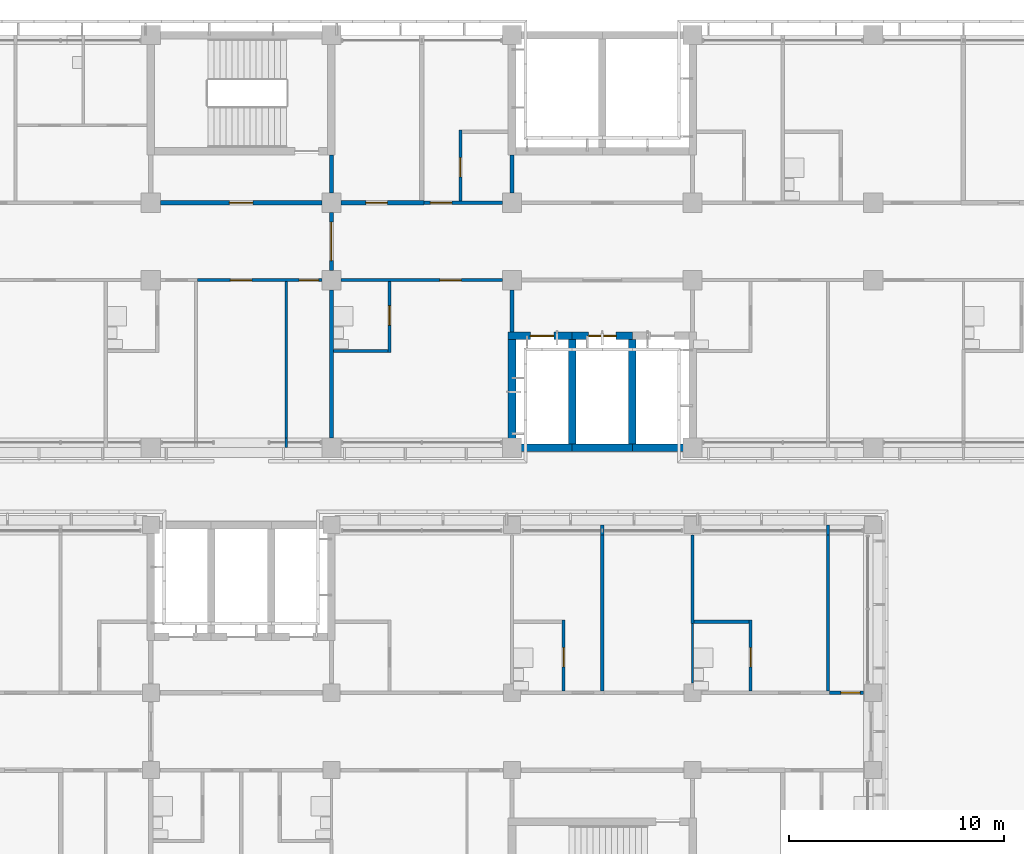
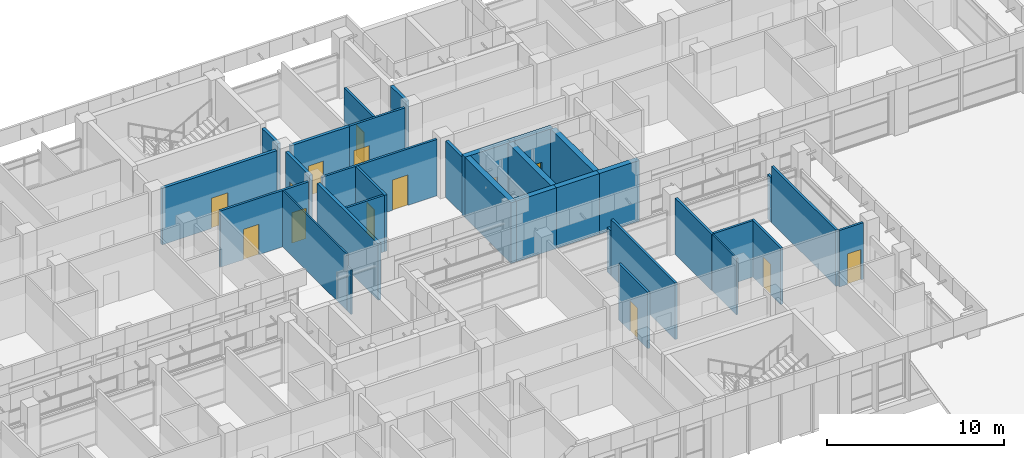
# One storey, part 83 of 137: 33 walls, 14 doors, 14 openings.
"""IFC4 building model written with IfcOpenShell, lengths in metres."""

from ifc_helpers import new_model, si_unit, direction, frame, frame_2d, origin, place, context, subcontext, project, spatial, rectangle, extrude, material, layer, layer_set, type_object, element, fill, save


model = new_model("IFC4")

# Units and contexts
model_context = context("Model", 3, precision=1e-05, world=origin(), true_north=direction((0.0, 1.0)))
body_context = subcontext(model_context, "Body", "Model", "MODEL_VIEW")
ifc_project = project(units=[si_unit("LENGTHUNIT", "METRE"), si_unit("AREAUNIT", "SQUARE_METRE"), si_unit("VOLUMEUNIT", "CUBIC_METRE"), si_unit("PLANEANGLEUNIT", "RADIAN"), si_unit("MASSUNIT", "GRAM", prefix="KILO")], contexts=[model_context])

# Site, building, storey
site_placement = place(None, origin())
site = spatial("IfcSite", under=ifc_project, at=site_placement, CompositionType="ELEMENT")
building_placement = place(site_placement, origin())
building = spatial("IfcBuilding", under=site, at=building_placement, Name="Bougainvillea Quay General Hospital", CompositionType="ELEMENT")
storey_placement = place(building_placement, frame((0.0, 0.0, 16.800048828125)))
storey = spatial("IfcBuildingStorey", under=building, at=storey_placement, Name="L03", CompositionType="ELEMENT", Elevation=16.800048828125)

# Walls
ifc_material_1 = material(Name="Gypsum board partition on steel studs", Category="steel")
ifc_layer_1 = layer(ifc_material_1, 0.10009765625)
ifc_layer_set_1 = layer_set([ifc_layer_1], Name="Gypsum board partition on steel studs")
wall_type_1 = type_object("IfcWallType", Name="Partition 100 Gypsum board partition", PredefinedType="PARTITIONING", material=ifc_layer_set_1)
wall_1_placement = place(storey_placement, frame((140.699951171875, 140.39990234375, 0.0), z_axis=(0.0, 0.0, 1.0), x_axis=(0.0, 1.0, 0.0)))
element("IfcWall", 1, at=wall_1_placement, inside=storey, type_object=wall_type_1, Name="Partition 100 mm", PredefinedType="PARTITIONING", context=body_context, shape_type="SweptSolid", body=[
    extrude(rectangle(XDim=0.4501953125, YDim=0.10009765625, at=frame_2d((0.22509765625, 0.0))), origin(), (0.0, 0.0, 1.0), 3.079833984375),
])
wall_2_placement = place(storey_placement, frame((140.699951171875, 140.85009765625, 0.0), z_axis=(0.0, 0.0, 1.0), x_axis=(0.0, 1.0, 0.0)))
element("IfcWall", 2, at=wall_2_placement, inside=storey, type_object=wall_type_1, Name="Partition 100 mm", PredefinedType="PARTITIONING", context=body_context, shape_type="SweptSolid", body=[
    extrude(rectangle(XDim=7.27490234375, YDim=0.10009765625, at=frame_2d((3.637451171875, 0.0))), origin(), (0.0, 0.0, 1.0), 3.89990234375),
])
wall_3_placement = place(storey_placement, frame((159.60009765625, 129.449951171875, 0.0), z_axis=(0.0, 0.0, 1.0), x_axis=(0.0, 1.0, 0.0)))
element("IfcWall", 3, at=wall_3_placement, inside=storey, type_object=wall_type_1, Name="Partition 100 mm", PredefinedType="PARTITIONING", context=body_context, shape_type="SweptSolid", body=[
    extrude(rectangle(XDim=2.775146484375, YDim=0.10009765625, at=frame_2d((1.3876953125, 0.0))), origin(), (0.0, 0.0, 1.0), 3.89990234375),
])
ifc_material_2 = material(Name="Gypsum board partition on steel studs, insulated", Category="steel")
ifc_layer_2 = layer(ifc_material_2, 0.14990234375)
ifc_layer_set_2 = layer_set([ifc_layer_2], Name="Gypsum board partition on steel studs, insulated")
wall_type_2 = type_object("IfcWallType", Name="Partition 150 Gypsum board partition", PredefinedType="PARTITIONING", material=ifc_layer_set_2)
wall_4_placement = place(storey_placement, frame((155.39990234375, 129.074951171875, 0.0), z_axis=(0.0, 0.0, 1.0), x_axis=(0.0, 1.0, 0.0)))
element("IfcWall", 4, at=wall_4_placement, inside=storey, type_object=wall_type_2, Name="Partition 150 mm", PredefinedType="PARTITIONING", context=body_context, shape_type="SweptSolid", body=[
    extrude(rectangle(XDim=7.275146484375, YDim=0.14990234375, at=frame_2d((3.6376953125, 0.0))), origin(), (0.0, 0.0, 1.0), 3.89990234375),
])
wall_5_placement = place(storey_placement, frame((155.39990234375, 136.35009765625, 0.0), z_axis=(0.0, 0.0, 1.0), x_axis=(0.0, 1.0, 0.0)))
element("IfcWall", 5, at=wall_5_placement, inside=storey, type_object=wall_type_2, Name="Partition 150 mm", PredefinedType="PARTITIONING", context=body_context, shape_type="SweptSolid", body=[
    extrude(rectangle(XDim=0.449951171875, YDim=0.14990234375, at=frame_2d((0.22509765625, 0.0))), origin(), (0.0, 0.0, 1.0), 3.079833984375),
])
wall_6_placement = place(storey_placement, frame((165.89990234375, 129.074951171875, 0.0), z_axis=(0.0, 0.0, 1.0), x_axis=(0.0, 1.0, 0.0)))
element("IfcWall", 6, at=wall_6_placement, inside=storey, type_object=wall_type_2, Name="Partition 150 mm", PredefinedType="PARTITIONING", context=body_context, shape_type="SweptSolid", body=[
    extrude(rectangle(XDim=7.275146484375, YDim=0.14990234375, at=frame_2d((3.6376953125, 0.0))), origin(), (0.0, 0.0, 1.0), 3.89990234375),
])
wall_7_placement = place(storey_placement, frame((165.89990234375, 136.35009765625, 0.0), z_axis=(0.0, 0.0, 1.0), x_axis=(0.0, 1.0, 0.0)))
element("IfcWall", 7, at=wall_7_placement, inside=storey, type_object=wall_type_2, Name="Partition 150 mm", PredefinedType="PARTITIONING", context=body_context, shape_type="SweptSolid", body=[
    extrude(rectangle(XDim=0.449951171875, YDim=0.14990234375, at=frame_2d((0.22509765625, 0.0))), origin(), (0.0, 0.0, 1.0), 3.079833984375),
])
wall_8_placement = place(storey_placement, frame((159.60009765625, 132.22509765625, 0.0), z_axis=(0.0, 0.0, 1.0), x_axis=(0.0, 1.0, 0.0)))
element("IfcWall", 8, at=wall_8_placement, inside=storey, type_object=wall_type_2, Name="Partition 150 mm", PredefinedType="PARTITIONING", context=body_context, shape_type="SweptSolid", body=[
    extrude(rectangle(XDim=4.125, YDim=0.14990234375, at=frame_2d((2.0625, 0.0))), origin(), (0.0, 0.0, 1.0), 3.89990234375),
])

# Wall, opening, door
wall_9_placement = place(storey_placement, frame((153.60009765625, 129.074951171875, 0.0), z_axis=(0.0, 0.0, 1.0), x_axis=(0.0, 1.0, 0.0)))
wall_9 = element("IfcWall", 9, at=wall_9_placement, inside=storey, type_object=wall_type_2, Name="Partition 150 mm", PredefinedType="PARTITIONING", context=body_context, shape_type="SweptSolid", body=[
    extrude(rectangle(XDim=3.300048828125, YDim=0.14990234375, at=frame_2d((1.64990234375, 0.0))), origin(), (0.0, 0.0, 1.0), 3.89990234375),
])
opening_1_placement = place(wall_9_placement, frame((1.125, 0.0, 0.0)))
opening_1 = element("IfcOpeningElement", 10, at=opening_1_placement, cuts=wall_9, Name="Opening L03.124", PredefinedType="OPENING", context=body_context, shape_type="SweptSolid", body=[
    extrude(rectangle(XDim=0.89990234375, YDim=2.10009765625, at=frame_2d((0.449951171875, 1.050048828125))), frame((0.0, 0.0849609375, 0.0), z_axis=(0.0, -1.0, 0.0), x_axis=(1.0, 0.0, 0.0)), (0.0, 0.0, 1.0), 0.169921875),
])
ifc_material_3 = material(Name="Solid-core timber door leaf in steel frame", Category="steel")
door_type_1 = type_object("IfcDoorType", Name="Single leaf door 900x2100", OperationType="NOTDEFINED", PredefinedType="DOOR", material=ifc_material_3)
door_1_placement = place(opening_1_placement, origin())
door_1 = element("IfcDoor", 11, at=door_1_placement, inside=storey, type_object=door_type_1, Name="DT07 L03.124", OperationType="SINGLE_SWING_LEFT", OverallHeight=2.10009765625, OverallWidth=0.89990234375, PredefinedType="DOOR", context=body_context, shape_type="SweptSolid", body=[
    extrude(rectangle(XDim=0.89990234375, YDim=2.10009765625, at=frame_2d((0.449951171875, 1.050048828125))), frame((0.0, 0.02490234375, 0.0), z_axis=(0.0, -1.0, 0.0), x_axis=(1.0, 0.0, 0.0)), (0.0, 0.0, 1.0), 0.050048828125),
])
fill(opening_1, door_1)

wall_10_placement = place(storey_placement, frame((162.300048828125, 129.074951171875, 0.0), z_axis=(0.0, 0.0, 1.0), x_axis=(0.0, 1.0, 0.0)))
wall_10 = element("IfcWall", 12, at=wall_10_placement, inside=storey, type_object=wall_type_2, Name="Partition 150 mm", PredefinedType="PARTITIONING", context=body_context, shape_type="SweptSolid", body=[
    extrude(rectangle(XDim=3.300048828125, YDim=0.14990234375, at=frame_2d((1.64990234375, 0.0))), origin(), (0.0, 0.0, 1.0), 3.89990234375),
])
opening_2_placement = place(wall_10_placement, frame((1.125, 0.0, 0.0)))
opening_2 = element("IfcOpeningElement", 13, at=opening_2_placement, cuts=wall_10, Name="Opening L03.127", PredefinedType="OPENING", context=body_context, shape_type="SweptSolid", body=[
    extrude(rectangle(XDim=0.89990234375, YDim=2.10009765625, at=frame_2d((0.449951171875, 1.050048828125))), frame((0.0, 0.0849609375, 0.0), z_axis=(0.0, -1.0, 0.0), x_axis=(1.0, 0.0, 0.0)), (0.0, 0.0, 1.0), 0.169921875),
])
door_2_placement = place(opening_2_placement, origin())
door_2 = element("IfcDoor", 14, at=door_2_placement, inside=storey, type_object=door_type_1, Name="DT07 L03.127", OperationType="SINGLE_SWING_LEFT", OverallHeight=2.10009765625, OverallWidth=0.89990234375, PredefinedType="DOOR", context=body_context, shape_type="SweptSolid", body=[
    extrude(rectangle(XDim=0.89990234375, YDim=2.10009765625, at=frame_2d((0.449951171875, 1.050048828125))), frame((0.0, 0.02490234375, 0.0), z_axis=(0.0, -1.0, 0.0), x_axis=(1.0, 0.0, 0.0)), (0.0, 0.0, 1.0), 0.050048828125),
])
fill(opening_2, door_2)

wall_11_placement = place(storey_placement, frame((145.5, 144.824951171875, 0.0), z_axis=(0.0, 0.0, 1.0), x_axis=(0.0, 1.0, 0.0)))
wall_11 = element("IfcWall", 15, at=wall_11_placement, inside=storey, type_object=wall_type_2, Name="Partition 150 mm", PredefinedType="PARTITIONING", context=body_context, shape_type="SweptSolid", body=[
    extrude(rectangle(XDim=3.300048828125, YDim=0.14990234375, at=frame_2d((1.64990234375, 0.0))), origin(), (0.0, 0.0, 1.0), 3.89990234375),
])
opening_3_placement = place(wall_11_placement, frame((1.27490234375, 0.0, 0.0)))
opening_3 = element("IfcOpeningElement", 16, at=opening_3_placement, cuts=wall_11, Name="Opening L03.053", PredefinedType="OPENING", context=body_context, shape_type="SweptSolid", body=[
    extrude(rectangle(XDim=0.89990234375, YDim=2.10009765625, at=frame_2d((0.449951171875, 1.050048828125))), frame((0.0, 0.0849609375, 0.0), z_axis=(0.0, -1.0, 0.0), x_axis=(1.0, 0.0, 0.0)), (0.0, 0.0, 1.0), 0.169921875),
])
door_3_placement = place(opening_3_placement, origin())
door_3 = element("IfcDoor", 17, at=door_3_placement, inside=storey, type_object=door_type_1, Name="DT07 L03.053", OperationType="SINGLE_SWING_RIGHT", OverallHeight=2.10009765625, OverallWidth=0.89990234375, PredefinedType="DOOR", context=body_context, shape_type="SweptSolid", body=[
    extrude(rectangle(XDim=0.89990234375, YDim=2.10009765625, at=frame_2d((0.449951171875, 1.050048828125))), frame((0.0, 0.02490234375, 0.0), z_axis=(0.0, -1.0, 0.0), x_axis=(1.0, 0.0, 0.0)), (0.0, 0.0, 1.0), 0.050048828125),
])
fill(opening_3, door_3)

wall_12_placement = place(storey_placement, frame((148.800048828125, 151.875, 0.0), z_axis=(0.0, 0.0, 1.0), x_axis=(0.0, 1.0, 0.0)))
wall_12 = element("IfcWall", 18, at=wall_12_placement, inside=storey, type_object=wall_type_2, Name="Partition 150 mm", PredefinedType="PARTITIONING", context=body_context, shape_type="SweptSolid", body=[
    extrude(rectangle(XDim=3.300048828125, YDim=0.14990234375, at=frame_2d((1.64990234375, 0.0))), origin(), (0.0, 0.0, 1.0), 3.89990234375),
])
opening_4_placement = place(wall_12_placement, frame((1.125, 0.0, 0.0)))
opening_4 = element("IfcOpeningElement", 19, at=opening_4_placement, cuts=wall_12, Name="Opening L03.055", PredefinedType="OPENING", context=body_context, shape_type="SweptSolid", body=[
    extrude(rectangle(XDim=0.89990234375, YDim=2.10009765625, at=frame_2d((0.449951171875, 1.050048828125))), frame((0.0, 0.0849609375, 0.0), z_axis=(0.0, -1.0, 0.0), x_axis=(1.0, 0.0, 0.0)), (0.0, 0.0, 1.0), 0.169921875),
])
door_4_placement = place(opening_4_placement, frame((0.89990234375, 0.0, 0.0), z_axis=(0.0, 0.0, 1.0), x_axis=(-1.0, 0.0, 0.0)))
door_4 = element("IfcDoor", 20, at=door_4_placement, inside=storey, type_object=door_type_1, Name="DT07 L03.055", OperationType="SINGLE_SWING_RIGHT", OverallHeight=2.10009765625, OverallWidth=0.89990234375, PredefinedType="DOOR", context=body_context, shape_type="SweptSolid", body=[
    extrude(rectangle(XDim=0.89990234375, YDim=2.10009765625, at=frame_2d((0.449951171875, 1.050048828125))), frame((0.0, 0.02490234375, 0.0), z_axis=(0.0, -1.0, 0.0), x_axis=(1.0, 0.0, 0.0)), (0.0, 0.0, 1.0), 0.050048828125),
])
fill(opening_4, door_4)

# Walls
wall_13_placement = place(storey_placement, frame((159.675048828125, 132.300048828125, 0.0), z_axis=(0.0, 0.0, 1.0), x_axis=(1.0, 0.0, 0.0)))
element("IfcWall", 21, at=wall_13_placement, inside=storey, type_object=wall_type_2, Name="Partition 150 mm", PredefinedType="PARTITIONING", context=body_context, shape_type="SweptSolid", body=[
    extrude(rectangle(XDim=2.550048828125, YDim=0.14990234375, at=frame_2d((1.27490234375, 0.0))), origin(), (0.0, 0.0, 1.0), 3.89990234375),
])
wall_14_placement = place(storey_placement, frame((142.89990234375, 144.89990234375, 0.0), z_axis=(0.0, 0.0, 1.0), x_axis=(1.0, 0.0, 0.0)))
element("IfcWall", 22, at=wall_14_placement, inside=storey, type_object=wall_type_2, Name="Partition 150 mm", PredefinedType="PARTITIONING", context=body_context, shape_type="SweptSolid", body=[
    extrude(rectangle(XDim=2.525146484375, YDim=0.14990234375, at=frame_2d((1.2626953125, 0.0))), origin(), (0.0, 0.0, 1.0), 3.89990234375),
])

# Wall, opening, door
ifc_layer_3 = layer(ifc_material_2, 0.14990234375)
ifc_layer_set_3 = layer_set([ifc_layer_3], Name="Gypsum board partition on steel studs, insulated")
wall_type_3 = type_object("IfcWallType", Name="Partition 150 Gypsum board partition EI 30", PredefinedType="PARTITIONING", material=ifc_layer_set_3)
wall_15_placement = place(storey_placement, frame((143.25, 148.199951171875, 0.0), z_axis=(0.0, 0.0, 1.0), x_axis=(1.0, 0.0, 0.0)))
wall_15 = element("IfcWall", 23, at=wall_15_placement, inside=storey, type_object=wall_type_3, Name="Partition 150 mm EI 30", PredefinedType="PARTITIONING", context=body_context, shape_type="SweptSolid", body=[
    extrude(rectangle(XDim=7.5, YDim=0.14990234375, at=frame_2d((3.75, 0.0))), origin(), (0.0, 0.0, 1.0), 3.89990234375),
])
opening_5_placement = place(wall_15_placement, frame((4.60009765625, 0.0, 0.0)))
opening_5 = element("IfcOpeningElement", 24, at=opening_5_placement, cuts=wall_15, Name="Opening L03.052", PredefinedType="OPENING", context=body_context, shape_type="SweptSolid", body=[
    extrude(rectangle(XDim=1.0, YDim=2.10009765625, at=frame_2d((0.5, 1.050048828125))), frame((0.0, 0.0849609375, 0.0), z_axis=(0.0, -1.0, 0.0), x_axis=(1.0, 0.0, 0.0)), (0.0, 0.0, 1.0), 0.169921875),
])
door_type_2 = type_object("IfcDoorType", Name="Single leaf door 1000x2100 FD30S", OperationType="NOTDEFINED", PredefinedType="DOOR", material=ifc_material_3)
door_5_placement = place(opening_5_placement, frame((1.0, 0.0, 0.0), z_axis=(0.0, 0.0, 1.0), x_axis=(-1.0, 0.0, 0.0)))
door_5 = element("IfcDoor", 25, at=door_5_placement, inside=storey, type_object=door_type_2, Name="DT15 L03.052", OperationType="SINGLE_SWING_LEFT", OverallHeight=2.10009765625, OverallWidth=1.0, PredefinedType="DOOR", context=body_context, shape_type="SweptSolid", body=[
    extrude(rectangle(XDim=1.0, YDim=2.10009765625, at=frame_2d((0.5, 1.050048828125))), frame((0.0, 0.02490234375, 0.0), z_axis=(0.0, -1.0, 0.0), x_axis=(1.0, 0.0, 0.0)), (0.0, 0.0, 1.0), 0.050048828125),
])
fill(opening_5, door_5)

wall_16_placement = place(storey_placement, frame((147.10009765625, 151.800048828125, 0.0), z_axis=(0.0, 0.0, 1.0), x_axis=(1.0, 0.0, 0.0)))
wall_16 = element("IfcWall", 26, at=wall_16_placement, inside=storey, type_object=wall_type_3, Name="Partition 150 mm EI 30", PredefinedType="PARTITIONING", context=body_context, shape_type="SweptSolid", body=[
    extrude(rectangle(XDim=3.64990234375, YDim=0.14990234375, at=frame_2d((1.824951171875, 0.0))), origin(), (0.0, 0.0, 1.0), 3.89990234375),
])
opening_6_placement = place(wall_16_placement, frame((0.300048828125, 0.0, 0.0)))
opening_6 = element("IfcOpeningElement", 27, at=opening_6_placement, cuts=wall_16, Name="Opening L03.054", PredefinedType="OPENING", context=body_context, shape_type="SweptSolid", body=[
    extrude(rectangle(XDim=1.0, YDim=2.10009765625, at=frame_2d((0.5, 1.050048828125))), frame((0.0, 0.0849609375, 0.0), z_axis=(0.0, -1.0, 0.0), x_axis=(1.0, 0.0, 0.0)), (0.0, 0.0, 1.0), 0.169921875),
])
door_6_placement = place(opening_6_placement, origin())
door_6 = element("IfcDoor", 28, at=door_6_placement, inside=storey, type_object=door_type_2, Name="DT15 L03.054", OperationType="SINGLE_SWING_LEFT", OverallHeight=2.10009765625, OverallWidth=1.0, PredefinedType="DOOR", context=body_context, shape_type="SweptSolid", body=[
    extrude(rectangle(XDim=1.0, YDim=2.10009765625, at=frame_2d((0.5, 1.050048828125))), frame((0.0, 0.02490234375, 0.0), z_axis=(0.0, -1.0, 0.0), x_axis=(1.0, 0.0, 0.0)), (0.0, 0.0, 1.0), 0.050048828125),
])
fill(opening_6, door_6)

# Wall, openings, doors
ifc_layer_4 = layer(ifc_material_2, 0.14990234375)
ifc_layer_set_4 = layer_set([ifc_layer_4], Name="Gypsum board partition on steel studs, insulated")
wall_type_4 = type_object("IfcWallType", Name="Partition 150 Gypsum board partition EI 60", PredefinedType="PARTITIONING", material=ifc_layer_set_4)
wall_17_placement = place(storey_placement, frame((136.574951171875, 148.199951171875, 0.0), z_axis=(0.0, 0.0, 1.0), x_axis=(1.0, 0.0, 0.0)))
wall_17 = element("IfcWall", 29, at=wall_17_placement, inside=storey, type_object=wall_type_4, Name="Partition 150 mm EI 60", PredefinedType="PARTITIONING", context=body_context, shape_type="SweptSolid", body=[
    extrude(rectangle(XDim=5.775146484375, YDim=0.14990234375, at=frame_2d((2.8876953125, 0.0))), origin(), (0.0, 0.0, 1.0), 3.89990234375),
])
opening_7_placement = place(wall_17_placement, frame((1.52490234375, 0.0, 0.0)))
opening_7 = element("IfcOpeningElement", 30, at=opening_7_placement, cuts=wall_17, Name="Opening L03.039", PredefinedType="OPENING", context=body_context, shape_type="SweptSolid", body=[
    extrude(rectangle(XDim=1.0, YDim=2.10009765625, at=frame_2d((0.5, 1.050048828125))), frame((0.0, 0.0849609375, 0.0), z_axis=(0.0, -1.0, 0.0), x_axis=(1.0, 0.0, 0.0)), (0.0, 0.0, 1.0), 0.169921875),
])
opening_8_placement = place(wall_17_placement, frame((4.72509765625, 0.0, 0.0)))
opening_8 = element("IfcOpeningElement", 31, at=opening_8_placement, cuts=wall_17, Name="Opening L03.040", PredefinedType="OPENING", context=body_context, shape_type="SweptSolid", body=[
    extrude(rectangle(XDim=0.89990234375, YDim=2.10009765625, at=frame_2d((0.449951171875, 1.050048828125))), frame((0.0, 0.0849609375, 0.0), z_axis=(0.0, -1.0, 0.0), x_axis=(1.0, 0.0, 0.0)), (0.0, 0.0, 1.0), 0.169921875),
])
door_type_3 = type_object("IfcDoorType", Name="Single leaf door 1000x2100 FD60", OperationType="NOTDEFINED", PredefinedType="DOOR", material=ifc_material_3)
door_7_placement = place(opening_7_placement, frame((1.0, 0.0, 0.0), z_axis=(0.0, 0.0, 1.0), x_axis=(-1.0, 0.0, 0.0)))
door_7 = element("IfcDoor", 32, at=door_7_placement, inside=storey, type_object=door_type_3, Name="DT14 L03.039", OperationType="SINGLE_SWING_RIGHT", OverallHeight=2.10009765625, OverallWidth=1.0, PredefinedType="DOOR", context=body_context, shape_type="SweptSolid", body=[
    extrude(rectangle(XDim=1.0, YDim=2.10009765625, at=frame_2d((0.5, 1.050048828125))), frame((0.0, 0.02490234375, 0.0), z_axis=(0.0, -1.0, 0.0), x_axis=(1.0, 0.0, 0.0)), (0.0, 0.0, 1.0), 0.050048828125),
])
fill(opening_7, door_7)
door_type_4 = type_object("IfcDoorType", Name="Single leaf door 900x2100 FD60", OperationType="NOTDEFINED", PredefinedType="DOOR", material=ifc_material_3)
door_8_placement = place(opening_8_placement, frame((0.89990234375, 0.0, 0.0), z_axis=(0.0, 0.0, 1.0), x_axis=(-1.0, 0.0, 0.0)))
door_8 = element("IfcDoor", 33, at=door_8_placement, inside=storey, type_object=door_type_4, Name="DT18 L03.040", OperationType="SINGLE_SWING_LEFT", OverallHeight=2.10009765625, OverallWidth=0.89990234375, PredefinedType="DOOR", context=body_context, shape_type="SweptSolid", body=[
    extrude(rectangle(XDim=0.89990234375, YDim=2.10009765625, at=frame_2d((0.449951171875, 1.050048828125))), frame((0.0, 0.02490234375, 0.0), z_axis=(0.0, -1.0, 0.0), x_axis=(1.0, 0.0, 0.0)), (0.0, 0.0, 1.0), 0.050048828125),
])
fill(opening_8, door_8)

# Wall, opening, door
wall_18_placement = place(storey_placement, frame((165.97509765625, 129.0, 0.0), z_axis=(0.0, 0.0, 1.0), x_axis=(1.0, 0.0, 0.0)))
wall_18 = element("IfcWall", 34, at=wall_18_placement, inside=storey, type_object=wall_type_4, Name="Partition 150 mm EI 60", PredefinedType="PARTITIONING", context=body_context, shape_type="SweptSolid", body=[
    extrude(rectangle(XDim=1.574951171875, YDim=0.14990234375, at=frame_2d((0.78759765625, 0.0))), origin(), (0.0, 0.0, 1.0), 3.89990234375),
])
opening_9_placement = place(wall_18_placement, frame((0.52490234375, 0.0, 0.0)))
opening_9 = element("IfcOpeningElement", 35, at=opening_9_placement, cuts=wall_18, Name="Opening L03.128", PredefinedType="OPENING", context=body_context, shape_type="SweptSolid", body=[
    extrude(rectangle(XDim=0.89990234375, YDim=2.10009765625, at=frame_2d((0.449951171875, 1.050048828125))), frame((0.0, 0.0849609375, 0.0), z_axis=(0.0, -1.0, 0.0), x_axis=(1.0, 0.0, 0.0)), (0.0, 0.0, 1.0), 0.169921875),
])
door_9_placement = place(opening_9_placement, origin())
door_9 = element("IfcDoor", 36, at=door_9_placement, inside=storey, type_object=door_type_4, Name="DT18 L03.128", OperationType="SINGLE_SWING_RIGHT", OverallHeight=2.10009765625, OverallWidth=0.89990234375, PredefinedType="DOOR", context=body_context, shape_type="SweptSolid", body=[
    extrude(rectangle(XDim=0.89990234375, YDim=2.10009765625, at=frame_2d((0.449951171875, 1.050048828125))), frame((0.0, 0.02490234375, 0.0), z_axis=(0.0, -1.0, 0.0), x_axis=(1.0, 0.0, 0.0)), (0.0, 0.0, 1.0), 0.050048828125),
])
fill(opening_9, door_9)

# Wall
ifc_material_4 = material(Name="Fire-rated autoclaved aerated block wall, plastered")
ifc_layer_5 = layer(ifc_material_4, 0.199951171875)
ifc_layer_set_5 = layer_set([ifc_layer_5], Name="Fire-rated autoclaved aerated block wall, plastered")
wall_type_5 = type_object("IfcWallType", Name="Partition 200 Fire-rated autoclaved aerated block wall EI 120", PredefinedType="SOLIDWALL", material=ifc_layer_set_5)
wall_19_placement = place(storey_placement, frame((142.800048828125, 154.02490234375, 0.0), z_axis=(0.0, 0.0, 1.0), x_axis=(0.0, -1.0, 0.0)))
element("IfcWall", 37, at=wall_19_placement, inside=storey, type_object=wall_type_5, Name="Partition 200 mm EI 120", PredefinedType="SOLIDWALL", context=body_context, shape_type="SweptSolid", body=[
    extrude(rectangle(XDim=1.77490234375, YDim=0.199951171875, at=frame_2d((0.887451171875, 0.0))), origin(), (0.0, 0.0, 1.0), 3.89990234375),
])

# Wall, opening, door
wall_20_placement = place(storey_placement, frame((142.800048828125, 151.35009765625, 0.0), z_axis=(0.0, 0.0, 1.0), x_axis=(0.0, -1.0, 0.0)))
wall_20 = element("IfcWall", 38, at=wall_20_placement, inside=storey, type_object=wall_type_5, Name="Partition 200 mm EI 120", PredefinedType="SOLIDWALL", context=body_context, shape_type="SweptSolid", body=[
    extrude(rectangle(XDim=2.7001953125, YDim=0.199951171875, at=frame_2d((1.35009765625, 0.0))), origin(), (0.0, 0.0, 1.0), 3.89990234375),
])
opening_10_placement = place(wall_20_placement, frame((0.449951171875, 0.0, 0.0)))
opening_10 = element("IfcOpeningElement", 39, at=opening_10_placement, cuts=wall_20, Name="Opening L03.003", PredefinedType="OPENING", context=body_context, shape_type="SweptSolid", body=[
    extrude(rectangle(XDim=1.800048828125, YDim=2.10009765625, at=frame_2d((0.89990234375, 1.050048828125))), frame((0.0, 0.10986328125, 0.0), z_axis=(0.0, -1.0, 0.0), x_axis=(1.0, 0.0, 0.0)), (0.0, 0.0, 1.0), 0.219970703125),
])
ifc_material_5 = material(Name="Steel fire door leaves in steel frame", Category="steel")
door_type_5 = type_object("IfcDoorType", Name="Steel double leaf door 1800x2100 FD90", OperationType="DOUBLE_DOOR_SINGLE_SWING", PredefinedType="DOOR", material=ifc_material_5)
door_10_placement = place(opening_10_placement, origin())
door_10 = element("IfcDoor", 40, at=door_10_placement, inside=storey, type_object=door_type_5, Name="DT03 L03.003", OperationType="DOUBLE_DOOR_SINGLE_SWING", OverallHeight=2.10009765625, OverallWidth=1.800048828125, PredefinedType="DOOR", context=body_context, shape_type="SweptSolid", body=[
    extrude(rectangle(XDim=1.800048828125, YDim=2.10009765625, at=frame_2d((0.89990234375, 1.050048828125))), frame((0.0, 0.02490234375, 0.0), z_axis=(0.0, -1.0, 0.0), x_axis=(1.0, 0.0, 0.0)), (0.0, 0.0, 1.0), 0.050048828125),
])
fill(opening_10, door_10)

# Wall
wall_21_placement = place(storey_placement, frame((142.800048828125, 147.75, 0.0), z_axis=(0.0, 0.0, 1.0), x_axis=(0.0, -1.0, 0.0)))
element("IfcWall", 41, at=wall_21_placement, inside=storey, type_object=wall_type_5, Name="Partition 200 mm EI 120", PredefinedType="SOLIDWALL", context=body_context, shape_type="SweptSolid", body=[
    extrude(rectangle(XDim=6.89990234375, YDim=0.199951171875, at=frame_2d((3.449951171875, 0.0))), origin(), (0.0, 0.0, 1.0), 3.89990234375),
])

# Wall, opening, door
wall_22_placement = place(storey_placement, frame((134.85009765625, 151.800048828125, 0.0), z_axis=(0.0, 0.0, 1.0), x_axis=(1.0, 0.0, 0.0)))
wall_22 = element("IfcWall", 42, at=wall_22_placement, inside=storey, type_object=wall_type_5, Name="Partition 200 mm EI 120", PredefinedType="SOLIDWALL", context=body_context, shape_type="SweptSolid", body=[
    extrude(rectangle(XDim=7.5, YDim=0.199951171875, at=frame_2d((3.75, 0.0))), origin(), (0.0, 0.0, 1.0), 3.89990234375),
])
opening_11_placement = place(wall_22_placement, frame((3.199951171875, 0.0, 0.0)))
opening_11 = element("IfcOpeningElement", 43, at=opening_11_placement, cuts=wall_22, Name="Opening L03.202", PredefinedType="OPENING", context=body_context, shape_type="SweptSolid", body=[
    extrude(rectangle(XDim=1.10009765625, YDim=2.10009765625, at=frame_2d((0.550048828125, 1.050048828125))), frame((0.0, 0.10986328125, 0.0), z_axis=(0.0, -1.0, 0.0), x_axis=(1.0, 0.0, 0.0)), (0.0, 0.0, 1.0), 0.219970703125),
])
ifc_material_6 = material(Name="Steel fire door leaf in steel frame", Category="steel")
door_type_6 = type_object("IfcDoorType", Name="Steel single leaf door 1100x2100 FD60", OperationType="NOTDEFINED", PredefinedType="DOOR", material=ifc_material_6)
door_11_placement = place(opening_11_placement, origin())
door_11 = element("IfcDoor", 44, at=door_11_placement, inside=storey, type_object=door_type_6, Name="DT04 L03.202", OperationType="SINGLE_SWING_RIGHT", OverallHeight=2.10009765625, OverallWidth=1.10009765625, PredefinedType="DOOR", context=body_context, shape_type="SweptSolid", body=[
    extrude(rectangle(XDim=1.10009765625, YDim=2.10009765625, at=frame_2d((0.550048828125, 1.050048828125))), frame((0.0, 0.02490234375, 0.0), z_axis=(0.0, -1.0, 0.0), x_axis=(1.0, 0.0, 0.0)), (0.0, 0.0, 1.0), 0.050048828125),
])
fill(opening_11, door_11)

wall_23_placement = place(storey_placement, frame((143.25, 151.800048828125, 0.0), z_axis=(0.0, 0.0, 1.0), x_axis=(1.0, 0.0, 0.0)))
wall_23 = element("IfcWall", 45, at=wall_23_placement, inside=storey, type_object=wall_type_5, Name="Partition 200 mm EI 120", PredefinedType="SOLIDWALL", context=body_context, shape_type="SweptSolid", body=[
    extrude(rectangle(XDim=3.85009765625, YDim=0.199951171875, at=frame_2d((1.925048828125, 0.0))), origin(), (0.0, 0.0, 1.0), 3.89990234375),
])
opening_12_placement = place(wall_23_placement, frame((1.14990234375, 0.0, 0.0)))
opening_12 = element("IfcOpeningElement", 46, at=opening_12_placement, cuts=wall_23, Name="Opening L03.069", PredefinedType="OPENING", context=body_context, shape_type="SweptSolid", body=[
    extrude(rectangle(XDim=1.0, YDim=2.10009765625, at=frame_2d((0.5, 1.050048828125))), frame((0.0, 0.10986328125, 0.0), z_axis=(0.0, -1.0, 0.0), x_axis=(1.0, 0.0, 0.0)), (0.0, 0.0, 1.0), 0.219970703125),
])
door_type_7 = type_object("IfcDoorType", Name="Steel single leaf door 1000x2100 FD90", OperationType="NOTDEFINED", PredefinedType="DOOR", material=ifc_material_6)
door_12_placement = place(opening_12_placement, origin())
door_12 = element("IfcDoor", 47, at=door_12_placement, inside=storey, type_object=door_type_7, Name="DT11 L03.069", OperationType="SINGLE_SWING_LEFT", OverallHeight=2.10009765625, OverallWidth=1.0, PredefinedType="DOOR", context=body_context, shape_type="SweptSolid", body=[
    extrude(rectangle(XDim=1.0, YDim=2.10009765625, at=frame_2d((0.5, 1.050048828125))), frame((0.0, 0.02490234375, 0.0), z_axis=(0.0, -1.0, 0.0), x_axis=(1.0, 0.0, 0.0)), (0.0, 0.0, 1.0), 0.050048828125),
])
fill(opening_12, door_12)

# Walls
wall_24_placement = place(storey_placement, frame((151.199951171875, 145.77490234375, 0.0), z_axis=(0.0, 0.0, 1.0), x_axis=(0.0, 1.0, 0.0)))
element("IfcWall", 48, at=wall_24_placement, inside=storey, type_object=wall_type_5, Name="Partition 200 mm EI 120", PredefinedType="SOLIDWALL", context=body_context, shape_type="SweptSolid", body=[
    extrude(rectangle(XDim=1.97509765625, YDim=0.199951171875, at=frame_2d((0.987548828125, 0.0))), origin(), (0.0, 0.0, 1.0), 3.89990234375),
])
ifc_layer_6 = layer(ifc_material_4, 0.199951171875)
ifc_layer_set_6 = layer_set([ifc_layer_6], Name="Fire-rated autoclaved aerated block wall, plastered")
wall_type_6 = type_object("IfcWallType", Name="Partition 200 Fire-rated autoclaved aerated block wall EI 60", PredefinedType="SOLIDWALL", material=ifc_layer_set_6)
wall_25_placement = place(storey_placement, frame((151.199951171875, 152.25, 0.0), z_axis=(0.0, 0.0, 1.0), x_axis=(0.0, 1.0, 0.0)))
element("IfcWall", 49, at=wall_25_placement, inside=storey, type_object=wall_type_6, Name="Partition 200 mm EI 60", PredefinedType="SOLIDWALL", context=body_context, shape_type="SweptSolid", body=[
    extrude(rectangle(XDim=1.77490234375, YDim=0.199951171875, at=frame_2d((0.887451171875, 0.0))), origin(), (0.0, 0.0, 1.0), 3.89990234375),
])

# Wall, opening, door
ifc_material_7 = material(Name="Concrete C40", Category="concrete")
ifc_layer_7 = layer(ifc_material_7, 0.35009765625)
ifc_layer_set_7 = layer_set([ifc_layer_7], Name="Concrete C40")
wall_type_7 = type_object("IfcWallType", Name="RC SHEAR WALL 350 C40", PredefinedType="SHEAR", material=ifc_layer_set_7)
wall_26_placement = place(storey_placement, frame((151.02490234375, 145.60009765625, 0.0), z_axis=(0.0, 0.0, 1.0), x_axis=(1.0, 0.0, 0.0)))
wall_26 = element("IfcWall", 50, at=wall_26_placement, inside=storey, type_object=wall_type_7, Name="Shear wall L03", PredefinedType="SHEAR", context=body_context, shape_type="SweptSolid", body=[
    extrude(rectangle(XDim=2.97509765625, YDim=0.35009765625, at=frame_2d((1.487548828125, 0.0))), origin(), (0.0, 0.0, 1.0), 4.199951171875),
])
opening_13_placement = place(wall_26_placement, frame((1.02490234375, 0.0, 0.0)))
opening_13 = element("IfcOpeningElement", 51, at=opening_13_placement, cuts=wall_26, Name="Opening LD-A2.1-L03", PredefinedType="OPENING", context=body_context, shape_type="SweptSolid", body=[
    extrude(rectangle(XDim=1.10009765625, YDim=2.10009765625, at=frame_2d((0.550048828125, 1.050048828125))), frame((0.0, 0.18505859375, 0.0), z_axis=(0.0, -1.0, 0.0), x_axis=(1.0, 0.0, 0.0)), (0.0, 0.0, 1.0), 0.3701171875),
])
ifc_material_8 = material(Name="Stainless steel centre-opening landing door", Category="steel")
door_type_8 = type_object("IfcDoorType", Name="Lift landing door 1100x2100 E 120", OperationType="DOUBLE_DOOR_SLIDING", PredefinedType="DOOR", material=ifc_material_8)
door_13_placement = place(opening_13_placement, origin())
door_13 = element("IfcDoor", 52, at=door_13_placement, inside=storey, type_object=door_type_8, Name="Lift landing door LB-A2-1 L03", OperationType="DOUBLE_DOOR_SLIDING", OverallHeight=2.10009765625, OverallWidth=1.10009765625, PredefinedType="DOOR", context=body_context, shape_type="SweptSolid", body=[
    extrude(rectangle(XDim=1.10009765625, YDim=2.10009765625, at=frame_2d((0.550048828125, 1.050048828125))), frame((0.0, 0.02490234375, 0.0), z_axis=(0.0, -1.0, 0.0), x_axis=(1.0, 0.0, 0.0)), (0.0, 0.0, 1.0), 0.050048828125),
])
fill(opening_13, door_13)

# Walls
wall_27_placement = place(storey_placement, frame((151.199951171875, 140.22509765625, 0.0), z_axis=(0.0, 0.0, 1.0), x_axis=(0.0, 1.0, 0.0)))
element("IfcWall", 53, at=wall_27_placement, inside=storey, type_object=wall_type_7, Name="Shear wall L03", PredefinedType="SHEAR", context=body_context, shape_type="SweptSolid", body=[
    extrude(rectangle(XDim=5.199951171875, YDim=0.35009765625, at=frame_2d((2.60009765625, 0.0))), origin(), (0.0, 0.0, 1.0), 4.199951171875),
])
wall_28_placement = place(storey_placement, frame((151.375, 140.39990234375, 0.0), z_axis=(0.0, 0.0, 1.0), x_axis=(1.0, 0.0, 0.0)))
element("IfcWall", 54, at=wall_28_placement, inside=storey, type_object=wall_type_7, Name="Shear wall L03", PredefinedType="SHEAR", context=body_context, shape_type="SweptSolid", body=[
    extrude(rectangle(XDim=2.625, YDim=0.35009765625, at=frame_2d((1.3125, 0.0))), origin(), (0.0, 0.0, 1.0), 4.199951171875),
])
wall_29_placement = place(storey_placement, frame((154.0, 140.39990234375, 0.0), z_axis=(0.0, 0.0, 1.0), x_axis=(1.0, 0.0, 0.0)))
element("IfcWall", 55, at=wall_29_placement, inside=storey, type_object=wall_type_7, Name="Shear wall L03", PredefinedType="SHEAR", context=body_context, shape_type="SweptSolid", body=[
    extrude(rectangle(XDim=2.800048828125, YDim=0.35009765625, at=frame_2d((1.39990234375, 0.0))), origin(), (0.0, 0.0, 1.0), 4.199951171875),
])
wall_30_placement = place(storey_placement, frame((154.0, 140.574951171875, 0.0), z_axis=(0.0, 0.0, 1.0), x_axis=(0.0, 1.0, 0.0)))
element("IfcWall", 56, at=wall_30_placement, inside=storey, type_object=wall_type_7, Name="Shear wall L03", PredefinedType="SHEAR", context=body_context, shape_type="SweptSolid", body=[
    extrude(rectangle(XDim=4.85009765625, YDim=0.35009765625, at=frame_2d((2.425048828125, 0.0))), origin(), (0.0, 0.0, 1.0), 4.199951171875),
])

# Wall, opening, door
wall_31_placement = place(storey_placement, frame((154.0, 145.60009765625, 0.0), z_axis=(0.0, 0.0, 1.0), x_axis=(1.0, 0.0, 0.0)))
wall_31 = element("IfcWall", 57, at=wall_31_placement, inside=storey, type_object=wall_type_7, Name="Shear wall L03", PredefinedType="SHEAR", context=body_context, shape_type="SweptSolid", body=[
    extrude(rectangle(XDim=2.800048828125, YDim=0.35009765625, at=frame_2d((1.39990234375, 0.0))), origin(), (0.0, 0.0, 1.0), 4.199951171875),
])
opening_14_placement = place(wall_31_placement, frame((0.75, 0.0, 0.0)))
opening_14 = element("IfcOpeningElement", 58, at=opening_14_placement, cuts=wall_31, Name="Opening LD-A2.2-L03", PredefinedType="OPENING", context=body_context, shape_type="SweptSolid", body=[
    extrude(rectangle(XDim=1.300048828125, YDim=2.10009765625, at=frame_2d((0.64990234375, 1.050048828125))), frame((0.0, 0.18505859375, 0.0), z_axis=(0.0, -1.0, 0.0), x_axis=(1.0, 0.0, 0.0)), (0.0, 0.0, 1.0), 0.3701171875),
])
door_type_9 = type_object("IfcDoorType", Name="Lift landing door 1300x2100 E 120", OperationType="DOUBLE_DOOR_SLIDING", PredefinedType="DOOR", material=ifc_material_8)
door_14_placement = place(opening_14_placement, origin())
door_14 = element("IfcDoor", 59, at=door_14_placement, inside=storey, type_object=door_type_9, Name="Lift landing door LB-A2-2 L03", OperationType="DOUBLE_DOOR_SLIDING", OverallHeight=2.10009765625, OverallWidth=1.300048828125, PredefinedType="DOOR", context=body_context, shape_type="SweptSolid", body=[
    extrude(rectangle(XDim=1.300048828125, YDim=2.10009765625, at=frame_2d((0.64990234375, 1.050048828125))), frame((0.0, 0.02490234375, 0.0), z_axis=(0.0, -1.0, 0.0), x_axis=(1.0, 0.0, 0.0)), (0.0, 0.0, 1.0), 0.050048828125),
])
fill(opening_14, door_14)

# Walls
wall_32_placement = place(storey_placement, frame((156.800048828125, 140.39990234375, 0.0), z_axis=(0.0, 0.0, 1.0), x_axis=(1.0, 0.0, 0.0)))
element("IfcWall", 60, at=wall_32_placement, inside=storey, type_object=wall_type_7, Name="Shear wall L03", PredefinedType="SHEAR", context=body_context, shape_type="SweptSolid", body=[
    extrude(rectangle(XDim=2.625, YDim=0.35009765625, at=frame_2d((1.3125, 0.0))), origin(), (0.0, 0.0, 1.0), 4.199951171875),
])
wall_33_placement = place(storey_placement, frame((156.800048828125, 140.574951171875, 0.0), z_axis=(0.0, 0.0, 1.0), x_axis=(0.0, 1.0, 0.0)))
element("IfcWall", 61, at=wall_33_placement, inside=storey, type_object=wall_type_7, Name="Shear wall L03", PredefinedType="SHEAR", context=body_context, shape_type="SweptSolid", body=[
    extrude(rectangle(XDim=4.85009765625, YDim=0.35009765625, at=frame_2d((2.425048828125, 0.0))), origin(), (0.0, 0.0, 1.0), 4.199951171875),
])

save(model, "model.ifc")
